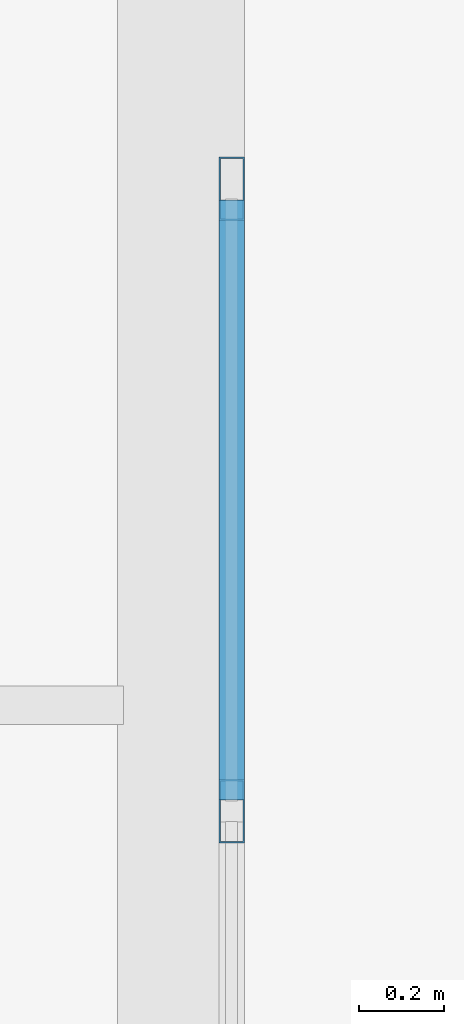
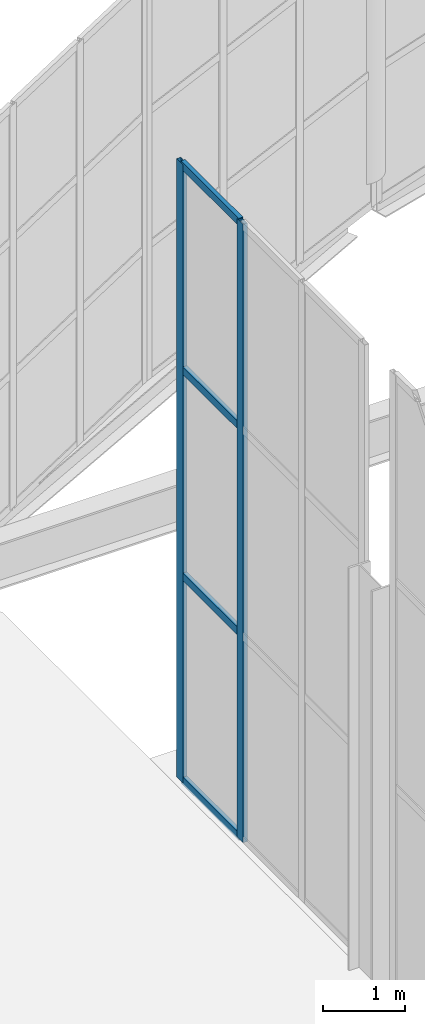
# One storey, part 96 of 191: 6 members, 1 element without a shape of its own.
"""IFC4 building model written with IfcOpenShell, lengths in metres."""

from ifc_helpers import new_model, si_unit, direction, frame, origin, origin_2d, place, context, subcontext, project, spatial, hollow_rectangle, extrude, material, layer, layer_set, material_profile, profile_set, type_object, element, aggregate, save


model = new_model("IFC4")

# Units and contexts
model_context = context("Model", 3, precision=1e-05, world=origin(), true_north=direction((0.0, 1.0)))
body_context = subcontext(model_context, "Body", "Model", "MODEL_VIEW")
ifc_project = project(units=[si_unit("LENGTHUNIT", "METRE"), si_unit("AREAUNIT", "SQUARE_METRE"), si_unit("VOLUMEUNIT", "CUBIC_METRE"), si_unit("PLANEANGLEUNIT", "RADIAN"), si_unit("MASSUNIT", "GRAM", prefix="KILO")], contexts=[model_context])

# Site, building, storey
site_placement = place(None, origin())
site = spatial("IfcSite", under=ifc_project, at=site_placement, CompositionType="ELEMENT")
building_placement = place(site_placement, origin())
building = spatial("IfcBuilding", under=site, at=building_placement, Name="Tamarisk Ironworks Central Station", CompositionType="ELEMENT")
storey_placement = place(building_placement, frame((0.0, 0.0, 6.60009765625)))
storey = spatial("IfcBuildingStorey", under=building, at=storey_placement, Name="L01", CompositionType="ELEMENT", Elevation=6.60009765625)

# Curtain wall, members
ifc_material = material(Name="Anodized aluminium alloy 6063-T6", Category="aluminium")
ifc_layer = layer(ifc_material, 0.179931640625)
ifc_layer_set = layer_set([ifc_layer], Name="Anodized aluminium alloy 6063-T6")
curtain_wall_type = type_object("IfcCurtainWallType", Name="CW-05", PredefinedType="USERDEFINED", material=ifc_layer_set)
curtain_wall_placement = place(storey_placement, origin())
curtain_wall = element("IfcCurtainWall", 1, at=curtain_wall_placement, inside=storey, type_object=curtain_wall_type, Name="Concourse W track-overlook curtain wall 08", ObjectType="GLAZED CURTAIN WALL", PredefinedType="USERDEFINED")
ifc_material_profile_1 = material_profile(ifc_material, hollow_rectangle(XDim=0.06005859375, YDim=0.14990234375, WallThickness=0.00341796875, at=origin_2d()), Name="ALUM 150x60")
ifc_profile_set_1 = profile_set([ifc_material_profile_1], Name="Anodized aluminium alloy 6063-T6")
member_type_1 = type_object("IfcMemberType", Name="CWM-03", PredefinedType="MULLION", material=ifc_profile_set_1)
member_1_placement = place(storey_placement, frame((54.1201171875, 104.14990234375, 0.0), z_axis=(0.0, 0.0, 1.0), x_axis=(-1.0, 0.0, 0.0)))
member_1 = element("IfcMember", 2, at=member_1_placement, type_object=member_type_1, Name="CW05 mullion 3", PredefinedType="MULLION", context=body_context, shape_type="SweptSolid", body=[
    extrude(hollow_rectangle(XDim=0.06005859375, YDim=0.14990234375, WallThickness=0.00341796875, at=origin_2d()), origin(), (0.0, 0.0, 1.0), 9.219970703125),
])
member_2_placement = place(storey_placement, frame((54.1201171875, 105.6201171875, 0.0), z_axis=(0.0, 0.0, 1.0), x_axis=(-1.0, 0.0, 0.0)))
member_2 = element("IfcMember", 3, at=member_2_placement, type_object=member_type_1, Name="CW05 mullion 4", PredefinedType="MULLION", context=body_context, shape_type="SweptSolid", body=[
    extrude(hollow_rectangle(XDim=0.06005859375, YDim=0.14990234375, WallThickness=0.00341796875, at=origin_2d()), origin(), (0.0, 0.0, 1.0), 9.219970703125),
])
ifc_material_profile_2 = material_profile(ifc_material, hollow_rectangle(XDim=0.06005859375, YDim=0.114990234375, WallThickness=0.00341796875, at=origin_2d()), Name="ALUM 115x60")
ifc_profile_set_2 = profile_set([ifc_material_profile_2], Name="Anodized aluminium alloy 6063-T6")
member_type_2 = type_object("IfcMemberType", Name="CWT-03", PredefinedType="USERDEFINED", material=ifc_profile_set_2)
member_3_placement = place(storey_placement, frame((54.1201171875, 104.176025390625, 0.02978515625), z_axis=(0.0, 1.0, 0.0), x_axis=(-1.0, 0.0, 0.0)))
member_3 = element("IfcMember", 4, at=member_3_placement, type_object=member_type_2, Name="CW05 transom 3.1", ObjectType="TRANSOM", PredefinedType="USERDEFINED", context=body_context, shape_type="SweptSolid", body=[
    extrude(hollow_rectangle(XDim=0.06005859375, YDim=0.114990234375, WallThickness=0.00341796875, at=origin_2d()), origin(), (0.0, 0.0, 1.0), 1.41796875),
])
member_4_placement = place(storey_placement, frame((54.1201171875, 104.176025390625, 3.0732421875), z_axis=(0.0, 1.0, 0.0), x_axis=(-1.0, 0.0, 0.0)))
member_4 = element("IfcMember", 5, at=member_4_placement, type_object=member_type_2, Name="CW05 transom 3.2", ObjectType="TRANSOM", PredefinedType="USERDEFINED", context=body_context, shape_type="SweptSolid", body=[
    extrude(hollow_rectangle(XDim=0.06005859375, YDim=0.114990234375, WallThickness=0.00341796875, at=origin_2d()), origin(), (0.0, 0.0, 1.0), 1.41796875),
])
member_5_placement = place(storey_placement, frame((54.1201171875, 104.176025390625, 6.146484375), z_axis=(0.0, 1.0, 0.0), x_axis=(-1.0, 0.0, 0.0)))
member_5 = element("IfcMember", 6, at=member_5_placement, type_object=member_type_2, Name="CW05 transom 3.3", ObjectType="TRANSOM", PredefinedType="USERDEFINED", context=body_context, shape_type="SweptSolid", body=[
    extrude(hollow_rectangle(XDim=0.06005859375, YDim=0.114990234375, WallThickness=0.00341796875, at=origin_2d()), origin(), (0.0, 0.0, 1.0), 1.41796875),
])
member_6_placement = place(storey_placement, frame((54.1201171875, 104.176025390625, 9.18994140625), z_axis=(0.0, 1.0, 0.0), x_axis=(-1.0, 0.0, 0.0)))
member_6 = element("IfcMember", 7, at=member_6_placement, type_object=member_type_2, Name="CW05 transom 3.4", ObjectType="TRANSOM", PredefinedType="USERDEFINED", context=body_context, shape_type="SweptSolid", body=[
    extrude(hollow_rectangle(XDim=0.06005859375, YDim=0.114990234375, WallThickness=0.00341796875, at=origin_2d()), origin(), (0.0, 0.0, 1.0), 1.41796875),
])
aggregate(curtain_wall, [member_1, member_2, member_3, member_4, member_5, member_6])

save(model, "model.ifc")
